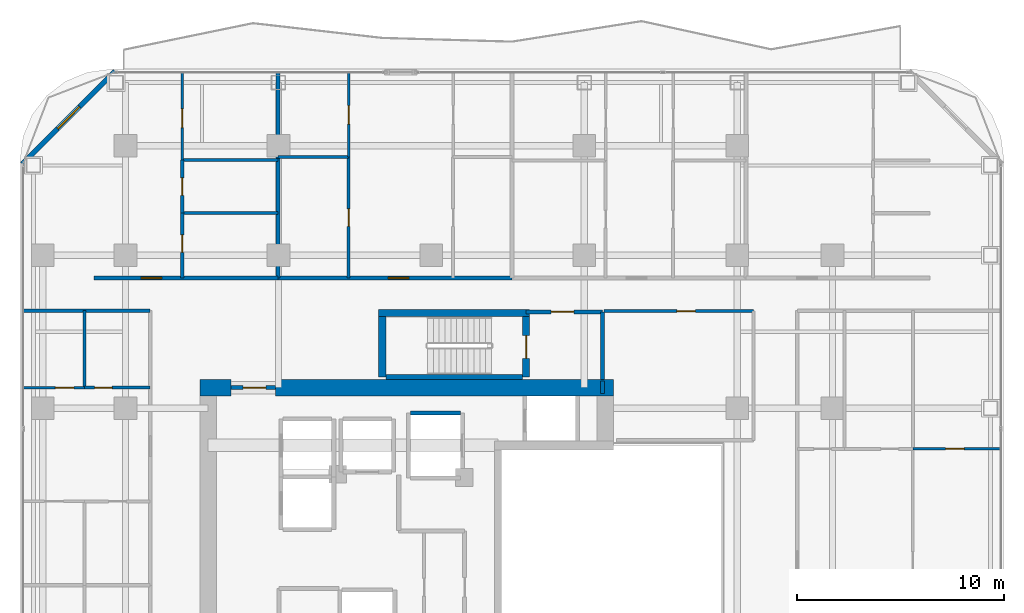
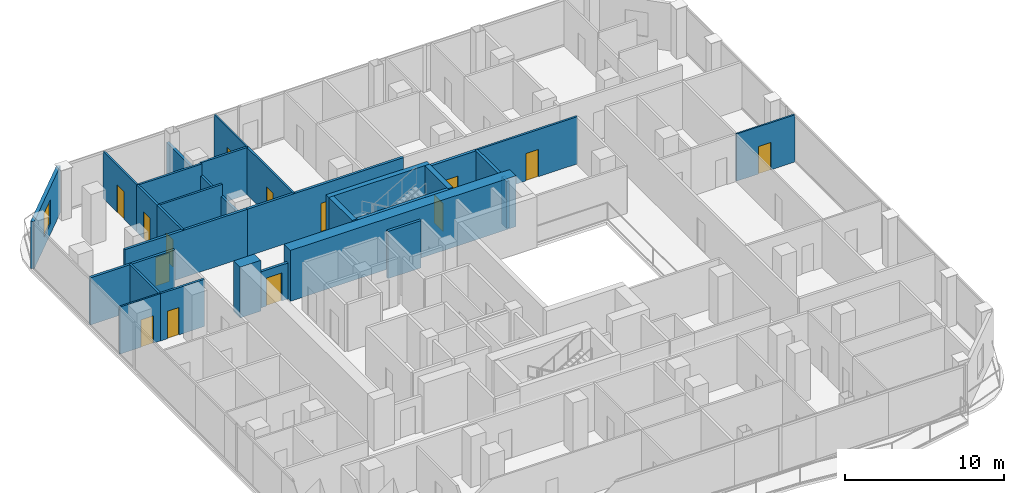
# One storey, part 23 of 27: 29 walls, 14 doors, 1 window, 15 openings.
"""IFC4 building model written with IfcOpenShell, lengths in metres."""

import ifcopenshell
import ifcopenshell.guid

model = None  # the IFC model being written
_history = None  # IfcOwnerHistory: only IFC2X3 demands one
_inside = {}  # id of a spatial element -> (the spatial element, [elements in it])
_under = {}  # id of a project, library or spatial element -> (it, [spatial elements below it])
_declared = {}  # id of a project -> (the project, [libraries it declares])
_typed = {}  # id of a type object -> (the type object, [elements of that type])
_made_of = {}  # id of a material, layer set ... -> (it, [elements and type objects made of it])


def new_model(schema):
    """Start an empty IFC model of exactly this schema.

    Asked for "IFC4X3", IfcOpenShell would pick the latest addendum, in which some entities
    have other attributes; the version numbers below select the first issue.
    IFC2X3 requires an IfcOwnerHistory on every rooted entity: one is made here for all.
    """
    global model, _history
    if schema == "IFC4X3":
        model = ifcopenshell.file(schema_version=(4, 3, 0, 0))
    else:
        model = ifcopenshell.file(schema=schema)
    _inside.clear()
    _under.clear()
    _declared.clear()
    _typed.clear()
    _made_of.clear()
    _history = None
    if model.schema == "IFC2X3":
        org = make("IfcOrganization", Name="unknown")
        user = make(
            "IfcPersonAndOrganization",
            ThePerson=make("IfcPerson", FamilyName="unknown"),
            TheOrganization=org,
        )
        app = make(
            "IfcApplication",
            ApplicationDeveloper=org,
            Version="unknown",
            ApplicationFullName="unknown",
            ApplicationIdentifier="unknown",
        )
        _history = make(
            "IfcOwnerHistory",
            OwningUser=user,
            OwningApplication=app,
            ChangeAction="ADDED",
            CreationDate=0,
        )
    return model


def make(cls, **values):
    """One entity of the class cls with the attributes given. An attribute that is None is left unset."""
    return model.create_entity(
        cls, **{name: value for name, value in values.items() if value is not None}
    )


def rooted(cls, **values):
    """An entity with a GlobalId (a new one), such as an element, a storey or a relation."""
    return make(cls, GlobalId=ifcopenshell.guid.new(), OwnerHistory=_history, **values)


def si_unit(unit_type, name, prefix=None):
    """IfcSIUnit, for example si_unit("LENGTHUNIT", "METRE", prefix="MILLI")."""
    return make("IfcSIUnit", UnitType=unit_type, Prefix=prefix, Name=name)


def assignment(units):
    """IfcUnitAssignment: the units of a project."""
    return None if units is None else make("IfcUnitAssignment", Units=units)


def point(xyz):
    """IfcCartesianPoint."""
    return None if xyz is None else make("IfcCartesianPoint", Coordinates=xyz)


def direction(xyz):
    """IfcDirection."""
    return None if xyz is None else make("IfcDirection", DirectionRatios=xyz)


def frame(location, z_axis=None, x_axis=None):
    """IfcAxis2Placement3D, a coordinate frame: its origin and axes. An axis left out is left unset."""
    return make(
        "IfcAxis2Placement3D",
        Location=point(location),
        Axis=direction(z_axis),
        RefDirection=direction(x_axis),
    )


def frame_2d(location, x_axis=None):
    """IfcAxis2Placement2D, a coordinate frame in the plane: its origin and x axis."""
    return make(
        "IfcAxis2Placement2D", Location=point(location), RefDirection=direction(x_axis)
    )


def origin():
    """The frame at (0, 0, 0) with its axes left unset."""
    return frame((0.0, 0.0, 0.0))


def place(relative_to, where):
    """IfcLocalPlacement: puts the frame where relative to a parent placement (None: the world)."""
    return make(
        "IfcLocalPlacement", PlacementRelTo=relative_to, RelativePlacement=where
    )


def context(
    kind, dimensions, precision=None, world=None, true_north=None, identifier=None
):
    """IfcGeometricRepresentationContext, for example the 3D "Model" context."""
    return make(
        "IfcGeometricRepresentationContext",
        ContextIdentifier=identifier,
        ContextType=kind,
        CoordinateSpaceDimension=dimensions,
        Precision=precision,
        WorldCoordinateSystem=world,
        TrueNorth=true_north,
    )


def subcontext(parent, identifier, kind, view, scale=None):
    """IfcGeometricRepresentationSubContext, for example "Body" below "Model"."""
    return make(
        "IfcGeometricRepresentationSubContext",
        ContextIdentifier=identifier,
        ContextType=kind,
        ParentContext=parent,
        TargetScale=scale,
        TargetView=view,
    )


def project(units=None, contexts=None):
    """IfcProject with its units and contexts."""
    return rooted(
        "IfcProject",
        Name="project",
        RepresentationContexts=contexts,
        UnitsInContext=assignment(units),
    )


def spatial(cls, under=None, at=None, **own):
    """A site, building, storey or space (cls), placed at a placement, below another one or the project."""
    s = rooted(cls, ObjectPlacement=at, **own)
    if under is not None:
        _under.setdefault(under.id(), (under, []))[1].append(s)
    return s


def profile(cls, at=None, kind="AREA", **sizes):
    """A parametric profile (cls). Its sizes go by their IFC names, for example OverallWidth=200.0."""
    return make(cls, ProfileType=kind, Position=at, **sizes)


def rectangle(**sizes):
    """IfcRectangleProfileDef."""
    return profile("IfcRectangleProfileDef", **sizes)


def extrude(swept, where, along, depth):
    """IfcExtrudedAreaSolid: the profile swept, set in the frame where, extruded along a direction by depth."""
    return make(
        "IfcExtrudedAreaSolid",
        SweptArea=swept,
        Position=where,
        ExtrudedDirection=direction(along),
        Depth=depth,
    )


def shape(context_of_items, identifier, shape_type, items):
    """IfcShapeRepresentation: the items that make up one representation, for example the "Body"."""
    return make(
        "IfcShapeRepresentation",
        ContextOfItems=context_of_items,
        RepresentationIdentifier=identifier,
        RepresentationType=shape_type,
        Items=items,
    )


def material(Name=None, Category=None):
    """IfcMaterial."""
    return make("IfcMaterial", Name=Name, Category=Category)


def layer(
    of_material, thickness, ventilated=None, Name=None, Category=None, Priority=None
):
    """IfcMaterialLayer: one layer of a wall or slab, of a material (None: an air gap)."""
    return make(
        "IfcMaterialLayer",
        Material=of_material,
        LayerThickness=thickness,
        IsVentilated=ventilated,
        Name=Name,
        Category=Category,
        Priority=Priority,
    )


def layer_set(layers, Name=None):
    """IfcMaterialLayerSet."""
    return make("IfcMaterialLayerSet", MaterialLayers=layers, LayerSetName=Name)


def made_of(thing, what):
    """Note that an element or type object is made of a material, layer set ...; save() writes the relation."""
    if what is not None:
        _made_of.setdefault(what.id(), (what, []))[1].append(thing)
    return thing


def type_object(cls, material=None, **own):
    """A type object (cls), such as IfcWallType, which elements share."""
    return made_of(rooted(cls, **own), material)


def element(
    cls,
    number,
    at=None,
    inside=None,
    cuts=None,
    type_object=None,
    material=None,
    context=None,
    identifier="Body",
    shape_type=None,
    held_by="IfcProductDefinitionShape",
    body=None,
    shapes=None,
    **own,
):
    """One element of the class cls, such as IfcWall. Its Tag is "e" and its number.

    at: its placement. inside: the storey or other place that contains it. cuts: it is an
    opening in that element (IfcRelVoidsElement). A single representation is given by context,
    identifier, shape_type and body (its items); several are given by shapes. held_by: the class
    of the entity that holds the representations. save() writes the other relations.
    """
    e = rooted(cls, Tag="e%d" % number, ObjectPlacement=at, **own)
    if body is not None:
        shapes = [shape(context, identifier, shape_type, body)]
    if shapes is not None:
        e.Representation = make(held_by, Representations=shapes)
    if inside is not None:
        _inside.setdefault(inside.id(), (inside, []))[1].append(e)
    if cuts is not None:
        rooted(
            "IfcRelVoidsElement", RelatingBuildingElement=cuts, RelatedOpeningElement=e
        )
    if type_object is not None:
        _typed.setdefault(type_object.id(), (type_object, []))[1].append(e)
    return made_of(e, material)


def fill(opening, filler):
    """IfcRelFillsElement: the door or window that sits in an opening."""
    return rooted(
        "IfcRelFillsElement",
        RelatingOpeningElement=opening,
        RelatedBuildingElement=filler,
    )


def aggregate(whole, parts):
    """IfcRelAggregates: a whole, such as a stair, and the parts it consists of."""
    return rooted("IfcRelAggregates", RelatingObject=whole, RelatedObjects=parts)


def save(model, path):
    """Write the relations noted so far, then the file.

    IfcRelAggregates (storeys below a building ...), IfcRelContainedInSpatialStructure (elements
    in a storey), IfcRelDefinesByType, IfcRelAssociatesMaterial and IfcRelDeclares: one each for
    every whole, place, type object, material and project.
    """
    for whole, parts in _under.values():
        aggregate(whole, parts)
    for where, things in _inside.values():
        rooted(
            "IfcRelContainedInSpatialStructure",
            RelatedElements=things,
            RelatingStructure=where,
        )
    for kind, things in _typed.values():
        rooted("IfcRelDefinesByType", RelatedObjects=things, RelatingType=kind)
    for what, things in _made_of.values():
        rooted("IfcRelAssociatesMaterial", RelatedObjects=things, RelatingMaterial=what)
    for by, libraries in _declared.values():
        rooted("IfcRelDeclares", RelatingContext=by, RelatedDefinitions=libraries)
    model.write(path)


model = new_model("IFC4")

# Units and contexts
model_context = context("Model", 3, precision=1e-05, world=origin(), true_north=direction((0.0, 1.0)))
body_context = subcontext(model_context, "Body", "Model", "MODEL_VIEW")
ifc_project = project(units=[si_unit("LENGTHUNIT", "METRE"), si_unit("AREAUNIT", "SQUARE_METRE"), si_unit("VOLUMEUNIT", "CUBIC_METRE"), si_unit("PLANEANGLEUNIT", "RADIAN"), si_unit("MASSUNIT", "GRAM", prefix="KILO")], contexts=[model_context])

# Site, building, storey
site_placement = place(None, origin())
site = spatial("IfcSite", under=ifc_project, at=site_placement, CompositionType="ELEMENT")
building_placement = place(site_placement, origin())
building = spatial("IfcBuilding", under=site, at=building_placement, Name="Khorvyn Point Tower", CompositionType="ELEMENT")
storey_placement = place(building_placement, frame((0.0, 0.0, 164.10009765625)))
storey = spatial("IfcBuildingStorey", under=building, at=storey_placement, Name="L40", CompositionType="ELEMENT", Elevation=164.10009765625)

# Wall, opening, door
ifc_material_1 = material(Name="Double acoustic gypsum on twin steel stud", Category="steel")
ifc_layer_1 = layer(ifc_material_1, 0.179931640625)
ifc_layer_set_1 = layer_set([ifc_layer_1], Name="Acoustic Double-Stud Apartment Demising Wall 180")
wall_type_1 = type_object("IfcWallType", Name="Acoustic Double-Stud Apartment Demising Wall 180", PredefinedType="PARTITIONING", material=ifc_layer_set_1)
wall_1_placement = place(storey_placement, frame((-16.320068359375, 13.699951171875, 0.0), z_axis=(0.0, 0.0, 1.0), x_axis=(1.0, 0.0, 0.0)))
wall_1 = element("IfcWall", 1, at=wall_1_placement, inside=storey, type_object=wall_type_1, Name="Wall", PredefinedType="PARTITIONING", context=body_context, shape_type="SweptSolid", body=[
    extrude(rectangle(XDim=8.89697265625, YDim=0.179931640625, at=frame_2d((4.448486328125, 0.0))), origin(), (0.0, 0.0, 1.0), 3.619873046875),
])
opening_1_placement = place(wall_1_placement, frame((2.2744140625, 0.0, 0.0)))
opening_1 = element("IfcOpeningElement", 2, at=opening_1_placement, cuts=wall_1, Name="Opening ID-AP60", PredefinedType="OPENING", context=body_context, shape_type="SweptSolid", body=[
    extrude(rectangle(XDim=1.0, YDim=2.199951171875, at=frame_2d((0.5, 1.10009765625))), frame((0.0, 0.099853515625, 0.0), z_axis=(0.0, -1.0, 0.0), x_axis=(1.0, 0.0, 0.0)), (0.0, 0.0, 1.0), 0.199951171875),
])
ifc_material_2 = material(Name="Engineered hardwood fire-rated leaf", Category="wood")
door_type_1 = type_object("IfcDoorType", Name="Acoustic Solid-Core Timber Apartment Entrance Door 1000x2200", OperationType="NOTDEFINED", PredefinedType="DOOR", material=ifc_material_2)
door_1_placement = place(opening_1_placement, origin())
door_1 = element("IfcDoor", 3, at=door_1_placement, inside=storey, type_object=door_type_1, Name="Door", OperationType="SINGLE_SWING_LEFT", OverallHeight=2.199951171875, OverallWidth=1.0, PredefinedType="DOOR", context=body_context, shape_type="SweptSolid", body=[
    extrude(rectangle(XDim=1.0, YDim=2.199951171875, at=frame_2d((0.5, 1.10009765625))), frame((0.0, 0.02490234375, 0.0), z_axis=(0.0, -1.0, 0.0), x_axis=(1.0, 0.0, 0.0)), (0.0, 0.0, 1.0), 0.050048828125),
])
fill(opening_1, door_1)

wall_2_placement = place(storey_placement, frame((-7.423095703125, 13.699951171875, 0.0), z_axis=(0.0, 0.0, 1.0), x_axis=(1.0, 0.0, 0.0)))
wall_2 = element("IfcWall", 4, at=wall_2_placement, inside=storey, type_object=wall_type_1, Name="Wall", PredefinedType="PARTITIONING", context=body_context, shape_type="SweptSolid", body=[
    extrude(rectangle(XDim=11.322998046875, YDim=0.179931640625, at=frame_2d((5.66162109375, 0.0))), origin(), (0.0, 0.0, 1.0), 3.619873046875),
])
opening_2_placement = place(wall_2_placement, frame((5.340087890625, 0.0, 0.0)))
opening_2 = element("IfcOpeningElement", 5, at=opening_2_placement, cuts=wall_2, Name="Opening ID-AP60", PredefinedType="OPENING", context=body_context, shape_type="SweptSolid", body=[
    extrude(rectangle(XDim=1.0, YDim=2.199951171875, at=frame_2d((0.5, 1.10009765625))), frame((0.0, 0.099853515625, 0.0), z_axis=(0.0, -1.0, 0.0), x_axis=(1.0, 0.0, 0.0)), (0.0, 0.0, 1.0), 0.199951171875),
])
door_2_placement = place(opening_2_placement, origin())
door_2 = element("IfcDoor", 6, at=door_2_placement, inside=storey, type_object=door_type_1, Name="Door", OperationType="SINGLE_SWING_LEFT", OverallHeight=2.199951171875, OverallWidth=1.0, PredefinedType="DOOR", context=body_context, shape_type="SweptSolid", body=[
    extrude(rectangle(XDim=1.0, YDim=2.199951171875, at=frame_2d((0.5, 1.10009765625))), frame((0.0, 0.02490234375, 0.0), z_axis=(0.0, -1.0, 0.0), x_axis=(1.0, 0.0, 0.0)), (0.0, 0.0, 1.0), 0.050048828125),
])
fill(opening_2, door_2)

# Walls
wall_3_placement = place(storey_placement, frame((-7.423095703125, 13.699951171875, 0.0), z_axis=(0.0, 0.0, 1.0), x_axis=(0.0, 1.0, 0.0)))
element("IfcWall", 7, at=wall_3_placement, inside=storey, type_object=wall_type_1, Name="Wall", PredefinedType="PARTITIONING", context=body_context, shape_type="SweptSolid", body=[
    extrude(rectangle(XDim=9.929931640625, YDim=0.179931640625, at=frame_2d((4.96484375, 0.0))), origin(), (0.0, 0.0, 1.0), 2.7099609375),
])
wall_4_placement = place(storey_placement, frame((-19.72998046875, 12.1201171875, 0.0), z_axis=(0.0, 0.0, 1.0), x_axis=(1.0, 0.0, 0.0)))
element("IfcWall", 8, at=wall_4_placement, inside=storey, type_object=wall_type_1, Name="Wall", PredefinedType="PARTITIONING", context=body_context, shape_type="SweptSolid", body=[
    extrude(rectangle(XDim=6.1298828125, YDim=0.179931640625, at=frame_2d((3.06494140625, 0.0))), origin(), (0.0, 0.0, 1.0), 3.619873046875),
])

# Wall, opening, window
ifc_material_3 = material(Name="Pale anodised aluminium rainscreen on steel stud", Category="steel")
ifc_layer_2 = layer(ifc_material_3, 0.239990234375)
ifc_layer_set_2 = layer_set([ifc_layer_2], Name="Anodised Aluminium Insulated Corner Spandrel Wall 240")
wall_type_2 = type_object("IfcWallType", Name="Anodised Aluminium Insulated Corner Spandrel Wall 240", PredefinedType="SOLIDWALL", material=ifc_layer_set_2)
wall_5_placement = place(storey_placement, frame((-19.79248046875, 19.20751953125, 0.0), z_axis=(0.0, 0.0, 1.0), x_axis=(0.707106781187, 0.707106781187, 0.0)))
wall_5 = element("IfcWall", 9, at=wall_5_placement, inside=storey, type_object=wall_type_2, Name="L40 Rounded Corner Wall NW", PredefinedType="SOLIDWALL", context=body_context, shape_type="SweptSolid", body=[
    extrude(rectangle(XDim=6.342529296875, YDim=0.239990234375, at=frame_2d((3.17138671875, 0.0))), origin(), (0.0, 0.0, 1.0), 3.619873046875),
])
opening_3_placement = place(wall_5_placement, frame((2.42138671875, 0.0, 0.800048828125)))
opening_3 = element("IfcOpeningElement", 10, at=opening_3_placement, cuts=wall_5, Name="Opening WN-1518", PredefinedType="OPENING", context=body_context, shape_type="SweptSolid", body=[
    extrude(rectangle(XDim=1.5, YDim=1.85009765625, at=frame_2d((0.75, 0.925048828125))), frame((0.0, 0.1298828125, 0.0), z_axis=(0.0, -1.0, 0.0), x_axis=(1.0, 0.0, 0.0)), (0.0, 0.0, 1.0), 0.260009765625),
])
ifc_material_4 = material(Name="Anodised aluminium 6063-T6 and laminated Low-E glass", Category="aluminium")
window_type = type_object("IfcWindowType", Name="Anodised Aluminium Rounded-Corner Panoramic Window 1500x1850", PartitioningType="SINGLE_PANEL", PredefinedType="WINDOW", material=ifc_material_4)
window_placement = place(opening_3_placement, origin())
window = element("IfcWindow", 11, at=window_placement, inside=storey, type_object=window_type, Name="L40 Corner Panoramic Window NW", OverallHeight=1.85009765625, OverallWidth=1.5, PartitioningType="SINGLE_PANEL", PredefinedType="WINDOW", context=body_context, shape_type="SweptSolid", body=[
    extrude(rectangle(XDim=1.5, YDim=1.85009765625, at=frame_2d((0.75, 0.925048828125))), frame((0.0, 0.030029296875, 0.0), z_axis=(0.0, -1.0, 0.0), x_axis=(1.0, 0.0, 0.0)), (0.0, 0.0, 1.0), 0.06005859375),
])
fill(opening_3, window)

# Wall, opening, door
ifc_material_5 = material(Name="Concrete C40/50", Category="concrete")
ifc_layer_3 = layer(ifc_material_5, 0.199951171875)
ifc_layer_set_3 = layer_set([ifc_layer_3], Name="Concrete C40/50 Fire-Lobby Compartment Wall 200")
wall_type_3 = type_object("IfcWallType", Name="Concrete C40/50 Fire-Lobby Compartment Wall 200", PredefinedType="SOLIDWALL", material=ifc_layer_set_3)
wall_6_placement = place(storey_placement, frame((4.580078125, 12.06005859375, 0.0), z_axis=(0.0, 0.0, 1.0), x_axis=(1.0, 0.0, 0.0)))
wall_6 = element("IfcWall", 12, at=wall_6_placement, inside=storey, type_object=wall_type_3, Name="Wall", PredefinedType="SOLIDWALL", context=body_context, shape_type="SweptSolid", body=[
    extrude(rectangle(XDim=3.699951171875, YDim=0.199951171875, at=frame_2d((1.85009765625, 0.0))), origin(), (0.0, 0.0, 1.0), 3.619873046875),
])
opening_4_placement = place(wall_6_placement, frame((1.21240234375, 0.0, 0.0)))
opening_4 = element("IfcOpeningElement", 13, at=opening_4_placement, cuts=wall_6, Name="Opening ID-FL90", PredefinedType="OPENING", context=body_context, shape_type="SweptSolid", body=[
    extrude(rectangle(XDim=1.10009765625, YDim=2.14990234375, at=frame_2d((0.550048828125, 1.074951171875))), frame((0.0, 0.10986328125, 0.0), z_axis=(0.0, -1.0, 0.0), x_axis=(1.0, 0.0, 0.0)), (0.0, 0.0, 1.0), 0.219970703125),
])
ifc_material_6 = material(Name="Galvanised powder-coated steel", Category="steel")
door_type_2 = type_object("IfcDoorType", Name="Fire-Rated Steel Lobby and Stair Door 1100x2150", OperationType="NOTDEFINED", PredefinedType="DOOR", material=ifc_material_6)
door_3_placement = place(opening_4_placement, origin())
door_3 = element("IfcDoor", 14, at=door_3_placement, inside=storey, type_object=door_type_2, Name="Door", OperationType="SINGLE_SWING_LEFT", OverallHeight=2.14990234375, OverallWidth=1.10009765625, PredefinedType="DOOR", context=body_context, shape_type="SweptSolid", body=[
    extrude(rectangle(XDim=1.10009765625, YDim=2.14990234375, at=frame_2d((0.550048828125, 1.074951171875))), frame((0.0, 0.02490234375, 0.0), z_axis=(0.0, -1.0, 0.0), x_axis=(1.0, 0.0, 0.0)), (0.0, 0.0, 1.0), 0.050048828125),
])
fill(opening_4, door_3)

wall_7_placement = place(storey_placement, frame((-9.699951171875, 8.39990234375, 0.0), z_axis=(0.0, 0.0, 1.0), x_axis=(1.0, 0.0, 0.0)))
wall_7 = element("IfcWall", 15, at=wall_7_placement, inside=storey, type_object=wall_type_3, Name="Wall", PredefinedType="SOLIDWALL", context=body_context, shape_type="SweptSolid", body=[
    extrude(rectangle(XDim=2.14990234375, YDim=0.199951171875, at=frame_2d((1.074951171875, 0.0))), origin(), (0.0, 0.0, 1.0), 2.760009765625),
])
opening_5_placement = place(wall_7_placement, frame((0.597900390625, 0.0, 0.0)))
opening_5 = element("IfcOpeningElement", 16, at=opening_5_placement, cuts=wall_7, Name="Opening ID-FL90", PredefinedType="OPENING", context=body_context, shape_type="SweptSolid", body=[
    extrude(rectangle(XDim=1.10009765625, YDim=2.14990234375, at=frame_2d((0.550048828125, 1.074951171875))), frame((0.0, 0.10986328125, 0.0), z_axis=(0.0, -1.0, 0.0), x_axis=(1.0, 0.0, 0.0)), (0.0, 0.0, 1.0), 0.219970703125),
])
door_4_placement = place(opening_5_placement, origin())
door_4 = element("IfcDoor", 17, at=door_4_placement, inside=storey, type_object=door_type_2, Name="Door", OperationType="SINGLE_SWING_LEFT", OverallHeight=2.14990234375, OverallWidth=1.10009765625, PredefinedType="DOOR", context=body_context, shape_type="SweptSolid", body=[
    extrude(rectangle(XDim=1.10009765625, YDim=2.14990234375, at=frame_2d((0.550048828125, 1.074951171875))), frame((0.0, 0.02490234375, 0.0), z_axis=(0.0, -1.0, 0.0), x_axis=(1.0, 0.0, 0.0)), (0.0, 0.0, 1.0), 0.050048828125),
])
fill(opening_5, door_4)

# Walls
wall_8_placement = place(storey_placement, frame((8.280029296875, 8.800048828125, 0.0), z_axis=(0.0, 0.0, 1.0), x_axis=(0.0, 1.0, 0.0)))
element("IfcWall", 18, at=wall_8_placement, inside=storey, type_object=wall_type_3, Name="Wall", PredefinedType="SOLIDWALL", context=body_context, shape_type="SweptSolid", body=[
    extrude(rectangle(XDim=3.260009765625, YDim=0.199951171875, at=frame_2d((1.6298828125, 0.0))), origin(), (0.0, 0.0, 1.0), 3.619873046875),
])
wall_9_placement = place(storey_placement, frame((8.280029296875, 8.10009765625, 0.0), z_axis=(0.0, 0.0, 1.0), x_axis=(0.0, 1.0, 0.0)))
element("IfcWall", 19, at=wall_9_placement, inside=storey, type_object=wall_type_3, Name="Wall", PredefinedType="SOLIDWALL", context=body_context, shape_type="SweptSolid", body=[
    extrude(rectangle(XDim=0.625, YDim=0.199951171875, at=frame_2d((0.3125, 0.0))), origin(), (0.0, 0.0, 1.0), 3.619873046875),
])
ifc_layer_4 = layer(ifc_material_5, 0.25)
ifc_layer_set_4 = layer_set([ifc_layer_4], Name="Concrete C40/50 Stair Inner Cheek Structural Wall 250")
wall_type_4 = type_object("IfcWallType", Name="Concrete C40/50 Stair Inner Cheek Structural Wall 250", PredefinedType="SHEAR", material=ifc_layer_set_4)
wall_10_placement = place(storey_placement, frame((-2.199951171875, 8.91259765625, 0.0), z_axis=(0.0, 0.0, 1.0), x_axis=(1.0, 0.0, 0.0)))
element("IfcWall", 20, at=wall_10_placement, inside=storey, type_object=wall_type_4, Name="Wall", PredefinedType="SHEAR", context=body_context, shape_type="SweptSolid", body=[
    extrude(rectangle(XDim=6.599853515625, YDim=0.22509765625, at=frame_2d((3.2998046875, 0.0))), origin(), (0.0, 0.0, 1.0), 3.89990234375),
])
ifc_layer_5 = layer(ifc_material_5, 0.35009765625)
ifc_layer_set_5 = layer_set([ifc_layer_5], Name="Concrete C40/50 Stair Shaft Structural Wall 350")
wall_type_5 = type_object("IfcWallType", Name="Concrete C40/50 Stair Shaft Structural Wall 350", PredefinedType="SHEAR", material=ifc_layer_set_5)
wall_11_placement = place(storey_placement, frame((-2.554931640625, 12.0, 0.0), z_axis=(0.0, 0.0, 1.0), x_axis=(1.0, 0.0, 0.0)))
element("IfcWall", 21, at=wall_11_placement, inside=storey, type_object=wall_type_5, Name="L40 ST-02 North Shaft Wall", PredefinedType="SHEAR", context=body_context, shape_type="SweptSolid", body=[
    extrude(rectangle(XDim=7.309814453125, YDim=0.35009765625, at=frame_2d((3.65478515625, 0.0))), origin(), (0.0, 0.0, 1.0), 3.89990234375),
])
wall_12_placement = place(storey_placement, frame((-2.3798828125, 8.89990234375, 0.0), z_axis=(0.0, 0.0, 1.0), x_axis=(0.0, 1.0, 0.0)))
element("IfcWall", 22, at=wall_12_placement, inside=storey, type_object=wall_type_5, Name="L40 ST-02 West Shaft Wall", PredefinedType="SHEAR", context=body_context, shape_type="SweptSolid", body=[
    extrude(rectangle(XDim=2.925048828125, YDim=0.35009765625, at=frame_2d((1.46240234375, 0.0))), origin(), (0.0, 0.0, 1.0), 3.89990234375),
])

# Wall, opening, door
wall_13_placement = place(storey_placement, frame((4.580078125, 11.824951171875, 0.0), z_axis=(0.0, 0.0, 1.0), x_axis=(0.0, -1.0, 0.0)))
wall_13 = element("IfcWall", 23, at=wall_13_placement, inside=storey, type_object=wall_type_5, Name="L40 ST-02 East Landing Door Wall", PredefinedType="SHEAR", context=body_context, shape_type="SweptSolid", body=[
    extrude(rectangle(XDim=2.925048828125, YDim=0.35009765625, at=frame_2d((1.46240234375, 0.0))), origin(), (0.0, 0.0, 1.0), 3.89990234375),
])
opening_6_placement = place(wall_13_placement, frame((0.91259765625, 0.0, 0.0)))
opening_6 = element("IfcOpeningElement", 24, at=opening_6_placement, cuts=wall_13, Name="Opening ID-FL90", PredefinedType="OPENING", context=body_context, shape_type="SweptSolid", body=[
    extrude(rectangle(XDim=1.10009765625, YDim=2.14990234375, at=frame_2d((0.550048828125, 1.074951171875))), frame((0.0, 0.18505859375, 0.0), z_axis=(0.0, -1.0, 0.0), x_axis=(1.0, 0.0, 0.0)), (0.0, 0.0, 1.0), 0.3701171875),
])
door_5_placement = place(opening_6_placement, origin())
door_5 = element("IfcDoor", 25, at=door_5_placement, inside=storey, type_object=door_type_2, Name="L40 ST-02 Smokeproof Landing Door", OperationType="SINGLE_SWING_LEFT", OverallHeight=2.14990234375, OverallWidth=1.10009765625, PredefinedType="DOOR", context=body_context, shape_type="SweptSolid", body=[
    extrude(rectangle(XDim=1.10009765625, YDim=2.14990234375, at=frame_2d((0.550048828125, 1.074951171875))), frame((0.0, 0.02490234375, 0.0), z_axis=(0.0, -1.0, 0.0), x_axis=(1.0, 0.0, 0.0)), (0.0, 0.0, 1.0), 0.050048828125),
])
fill(opening_6, door_5)

# Walls
ifc_layer_6 = layer(ifc_material_5, 0.199951171875)
ifc_layer_set_6 = layer_set([ifc_layer_6], Name="Concrete C40/50 Structural Hoistway and Stair Shaft Wall 200")
wall_type_6 = type_object("IfcWallType", Name="Concrete C40/50 Structural Hoistway and Stair Shaft Wall 200", PredefinedType="SHEAR", material=ifc_layer_set_6)
wall_14_placement = place(storey_placement, frame((-1.0, 7.175048828125, 0.0), z_axis=(0.0, 0.0, 1.0), x_axis=(1.0, 0.0, 0.0)))
element("IfcWall", 26, at=wall_14_placement, inside=storey, type_object=wall_type_6, Name="Wall", PredefinedType="SHEAR", context=body_context, shape_type="SweptSolid", body=[
    extrude(rectangle(XDim=2.39990234375, YDim=0.199951171875, at=frame_2d((1.199951171875, 0.0))), origin(), (0.0, 0.0, 1.0), 3.619873046875),
])
ifc_material_7 = material(Name="Concrete C45/55", Category="concrete")
ifc_layer_7 = layer(ifc_material_7, 0.800048828125)
ifc_layer_set_7 = layer_set([ifc_layer_7], Name="Concrete C45/55 Core Shear Wall 800")
wall_type_7 = type_object("IfcWallType", Name="Concrete C45/55 Core Shear Wall 800", PredefinedType="SHEAR", material=ifc_layer_set_7)
wall_15_placement = place(storey_placement, frame((-11.199951171875, 8.39990234375, 0.0), z_axis=(0.0, 0.0, 1.0), x_axis=(1.0, 0.0, 0.0)))
element("IfcWall", 27, at=wall_15_placement, inside=storey, type_object=wall_type_7, Name="Wall", PredefinedType="SHEAR", context=body_context, shape_type="SweptSolid", body=[
    extrude(rectangle(XDim=1.5, YDim=0.800048828125, at=frame_2d((0.75, 0.0))), origin(), (0.0, 0.0, 1.0), 3.89990234375),
])
wall_16_placement = place(storey_placement, frame((-7.550048828125, 8.39990234375, 0.0), z_axis=(0.0, 0.0, 1.0), x_axis=(1.0, 0.0, 0.0)))
element("IfcWall", 28, at=wall_16_placement, inside=storey, type_object=wall_type_7, Name="Wall", PredefinedType="SHEAR", context=body_context, shape_type="SweptSolid", body=[
    extrude(rectangle(XDim=16.35009765625, YDim=0.800048828125, at=frame_2d((8.175048828125, 0.0))), origin(), (0.0, 0.0, 1.0), 3.89990234375),
])

# Wall, opening, door
ifc_material_8 = material(Name="Gypsum plasterboard on steel stud", Category="steel")
ifc_layer_8 = layer(ifc_material_8, 0.1201171875)
ifc_layer_set_8 = layer_set([ifc_layer_8], Name="Gypsum Acoustic Stud Room Partition Wall 120")
wall_type_8 = type_object("IfcWallType", Name="Gypsum Acoustic Stud Room Partition Wall 120", PredefinedType="PARTITIONING", material=ifc_layer_set_8)
wall_17_placement = place(storey_placement, frame((-12.049072265625, 19.406005859375, 0.0), z_axis=(0.0, 0.0, 1.0), x_axis=(0.0, 1.0, 0.0)))
wall_17 = element("IfcWall", 29, at=wall_17_placement, inside=storey, type_object=wall_type_8, Name="Wall", PredefinedType="PARTITIONING", context=body_context, shape_type="SweptSolid", body=[
    extrude(rectangle(XDim=4.223876953125, YDim=0.1201171875, at=frame_2d((2.11181640625, 0.0))), origin(), (0.0, 0.0, 1.0), 3.619873046875),
])
opening_7_placement = place(wall_17_placement, frame((1.573486328125, 0.0, 0.0)))
opening_7 = element("IfcOpeningElement", 30, at=opening_7_placement, cuts=wall_17, Name="Opening ID-RM90", PredefinedType="OPENING", context=body_context, shape_type="SweptSolid", body=[
    extrude(rectangle(XDim=0.89990234375, YDim=2.10009765625, at=frame_2d((0.449951171875, 1.050048828125))), frame((0.0, 0.070068359375, 0.0), z_axis=(0.0, -1.0, 0.0), x_axis=(1.0, 0.0, 0.0)), (0.0, 0.0, 1.0), 0.14013671875),
])
ifc_material_9 = material(Name="Engineered oak veneer timber", Category="wood")
door_type_3 = type_object("IfcDoorType", Name="Flush Engineered Timber Room Door 900x2100", OperationType="NOTDEFINED", PredefinedType="DOOR", material=ifc_material_9)
door_6_placement = place(opening_7_placement, origin())
door_6 = element("IfcDoor", 31, at=door_6_placement, inside=storey, type_object=door_type_3, Name="Door", OperationType="SINGLE_SWING_RIGHT", OverallHeight=2.10009765625, OverallWidth=0.89990234375, PredefinedType="DOOR", context=body_context, shape_type="SweptSolid", body=[
    extrude(rectangle(XDim=0.89990234375, YDim=2.10009765625, at=frame_2d((0.449951171875, 1.050048828125))), frame((0.0, 0.02490234375, 0.0), z_axis=(0.0, -1.0, 0.0), x_axis=(1.0, 0.0, 0.0)), (0.0, 0.0, 1.0), 0.050048828125),
])
fill(opening_7, door_6)

wall_18_placement = place(storey_placement, frame((-4.0009765625, 19.544921875, 0.0), z_axis=(0.0, 0.0, 1.0), x_axis=(0.0, 1.0, 0.0)))
wall_18 = element("IfcWall", 32, at=wall_18_placement, inside=storey, type_object=wall_type_8, Name="Wall", PredefinedType="PARTITIONING", context=body_context, shape_type="SweptSolid", body=[
    extrude(rectangle(XDim=4.0849609375, YDim=0.1201171875, at=frame_2d((2.04248046875, 0.0))), origin(), (0.0, 0.0, 1.0), 3.619873046875),
])
opening_8_placement = place(wall_18_placement, frame((1.592529296875, 0.0, 0.0)))
opening_8 = element("IfcOpeningElement", 33, at=opening_8_placement, cuts=wall_18, Name="Opening ID-RM90", PredefinedType="OPENING", context=body_context, shape_type="SweptSolid", body=[
    extrude(rectangle(XDim=0.89990234375, YDim=2.10009765625, at=frame_2d((0.449951171875, 1.050048828125))), frame((0.0, 0.070068359375, 0.0), z_axis=(0.0, -1.0, 0.0), x_axis=(1.0, 0.0, 0.0)), (0.0, 0.0, 1.0), 0.14013671875),
])
door_7_placement = place(opening_8_placement, origin())
door_7 = element("IfcDoor", 34, at=door_7_placement, inside=storey, type_object=door_type_3, Name="Door", OperationType="SINGLE_SWING_LEFT", OverallHeight=2.10009765625, OverallWidth=0.89990234375, PredefinedType="DOOR", context=body_context, shape_type="SweptSolid", body=[
    extrude(rectangle(XDim=0.89990234375, YDim=2.10009765625, at=frame_2d((0.449951171875, 1.050048828125))), frame((0.0, 0.02490234375, 0.0), z_axis=(0.0, -1.0, 0.0), x_axis=(1.0, 0.0, 0.0)), (0.0, 0.0, 1.0), 0.050048828125),
])
fill(opening_8, door_7)

wall_19_placement = place(storey_placement, frame((-19.72998046875, 8.39404296875, 0.0), z_axis=(0.0, 0.0, 1.0), x_axis=(1.0, 0.0, 0.0)))
wall_19 = element("IfcWall", 35, at=wall_19_placement, inside=storey, type_object=wall_type_8, Name="Wall", PredefinedType="PARTITIONING", context=body_context, shape_type="SweptSolid", body=[
    extrude(rectangle(XDim=2.946044921875, YDim=0.1201171875, at=frame_2d((1.47314453125, 0.0))), origin(), (0.0, 0.0, 1.0), 3.619873046875),
])
opening_9_placement = place(wall_19_placement, frame((1.540771484375, 0.0, 0.0)))
opening_9 = element("IfcOpeningElement", 36, at=opening_9_placement, cuts=wall_19, Name="Opening ID-RM90", PredefinedType="OPENING", context=body_context, shape_type="SweptSolid", body=[
    extrude(rectangle(XDim=0.89990234375, YDim=2.10009765625, at=frame_2d((0.449951171875, 1.050048828125))), frame((0.0, 0.070068359375, 0.0), z_axis=(0.0, -1.0, 0.0), x_axis=(1.0, 0.0, 0.0)), (0.0, 0.0, 1.0), 0.14013671875),
])
door_8_placement = place(opening_9_placement, origin())
door_8 = element("IfcDoor", 37, at=door_8_placement, inside=storey, type_object=door_type_3, Name="Door", OperationType="SINGLE_SWING_LEFT", OverallHeight=2.10009765625, OverallWidth=0.89990234375, PredefinedType="DOOR", context=body_context, shape_type="SweptSolid", body=[
    extrude(rectangle(XDim=0.89990234375, YDim=2.10009765625, at=frame_2d((0.449951171875, 1.050048828125))), frame((0.0, 0.02490234375, 0.0), z_axis=(0.0, -1.0, 0.0), x_axis=(1.0, 0.0, 0.0)), (0.0, 0.0, 1.0), 0.050048828125),
])
fill(opening_9, door_8)

wall_20_placement = place(storey_placement, frame((23.2900390625, 5.43603515625, 0.0), z_axis=(0.0, 0.0, 1.0), x_axis=(1.0, 0.0, 0.0)))
wall_20 = element("IfcWall", 38, at=wall_20_placement, inside=storey, type_object=wall_type_8, Name="Wall", PredefinedType="PARTITIONING", context=body_context, shape_type="SweptSolid", body=[
    extrude(rectangle(XDim=4.239990234375, YDim=0.1201171875, at=frame_2d((2.1201171875, 0.0))), origin(), (0.0, 0.0, 1.0), 3.619873046875),
])
opening_10_placement = place(wall_20_placement, frame((1.581298828125, 0.0, 0.0)))
opening_10 = element("IfcOpeningElement", 39, at=opening_10_placement, cuts=wall_20, Name="Opening ID-RM90", PredefinedType="OPENING", context=body_context, shape_type="SweptSolid", body=[
    extrude(rectangle(XDim=0.89990234375, YDim=2.10009765625, at=frame_2d((0.449951171875, 1.050048828125))), frame((0.0, 0.070068359375, 0.0), z_axis=(0.0, -1.0, 0.0), x_axis=(1.0, 0.0, 0.0)), (0.0, 0.0, 1.0), 0.14013671875),
])
door_9_placement = place(opening_10_placement, origin())
door_9 = element("IfcDoor", 40, at=door_9_placement, inside=storey, type_object=door_type_3, Name="Door", OperationType="SINGLE_SWING_RIGHT", OverallHeight=2.10009765625, OverallWidth=0.89990234375, PredefinedType="DOOR", context=body_context, shape_type="SweptSolid", body=[
    extrude(rectangle(XDim=0.89990234375, YDim=2.10009765625, at=frame_2d((0.449951171875, 1.050048828125))), frame((0.0, 0.02490234375, 0.0), z_axis=(0.0, -1.0, 0.0), x_axis=(1.0, 0.0, 0.0)), (0.0, 0.0, 1.0), 0.050048828125),
])
fill(opening_10, door_9)

ifc_material_10 = material(Name="Moisture-resistant gypsum and cement board", Category="gypsum")
ifc_layer_9 = layer(ifc_material_10, 0.14990234375)
ifc_layer_set_9 = layer_set([ifc_layer_9], Name="Moisture-Resistant Wet-Room Partition Wall 150")
wall_type_9 = type_object("IfcWallType", Name="Moisture-Resistant Wet-Room Partition Wall 150", PredefinedType="PARTITIONING", material=ifc_layer_set_9)
wall_21_placement = place(storey_placement, frame((8.360107421875, 12.10009765625, 0.0), z_axis=(0.0, 0.0, 1.0), x_axis=(1.0, 0.0, 0.0)))
wall_21 = element("IfcWall", 41, at=wall_21_placement, inside=storey, type_object=wall_type_9, Name="Wall", PredefinedType="PARTITIONING", context=body_context, shape_type="SweptSolid", body=[
    extrude(rectangle(XDim=7.219970703125, YDim=0.14990234375, at=frame_2d((3.60986328125, 0.0))), origin(), (0.0, 0.0, 1.0), 3.619873046875),
])
opening_11_placement = place(wall_21_placement, frame((3.512939453125, 0.0, 0.0)))
opening_11 = element("IfcOpeningElement", 42, at=opening_11_placement, cuts=wall_21, Name="Opening ID-RM90", PredefinedType="OPENING", context=body_context, shape_type="SweptSolid", body=[
    extrude(rectangle(XDim=0.89990234375, YDim=2.10009765625, at=frame_2d((0.449951171875, 1.050048828125))), frame((0.0, 0.0849609375, 0.0), z_axis=(0.0, -1.0, 0.0), x_axis=(1.0, 0.0, 0.0)), (0.0, 0.0, 1.0), 0.169921875),
])
door_10_placement = place(opening_11_placement, origin())
door_10 = element("IfcDoor", 43, at=door_10_placement, inside=storey, type_object=door_type_3, Name="Door", OperationType="SINGLE_SWING_RIGHT", OverallHeight=2.10009765625, OverallWidth=0.89990234375, PredefinedType="DOOR", context=body_context, shape_type="SweptSolid", body=[
    extrude(rectangle(XDim=0.89990234375, YDim=2.10009765625, at=frame_2d((0.449951171875, 1.050048828125))), frame((0.0, 0.02490234375, 0.0), z_axis=(0.0, -1.0, 0.0), x_axis=(1.0, 0.0, 0.0)), (0.0, 0.0, 1.0), 0.050048828125),
])
fill(opening_11, door_10)

wall_22_placement = place(storey_placement, frame((-12.049072265625, 13.699951171875, 0.0), z_axis=(0.0, 0.0, 1.0), x_axis=(0.0, 1.0, 0.0)))
wall_22 = element("IfcWall", 44, at=wall_22_placement, inside=storey, type_object=wall_type_9, Name="Wall", PredefinedType="PARTITIONING", context=body_context, shape_type="SweptSolid", body=[
    extrude(rectangle(XDim=3.137939453125, YDim=0.14990234375, at=frame_2d((1.56884765625, 0.0))), origin(), (0.0, 0.0, 1.0), 3.619873046875),
])
opening_12_placement = place(wall_22_placement, frame((1.2333984375, 0.0, 0.0)))
opening_12 = element("IfcOpeningElement", 45, at=opening_12_placement, cuts=wall_22, Name="Opening ID-WC85", PredefinedType="OPENING", context=body_context, shape_type="SweptSolid", body=[
    extrude(rectangle(XDim=0.85009765625, YDim=2.10009765625, at=frame_2d((0.425048828125, 1.050048828125))), frame((0.0, 0.0849609375, 0.0), z_axis=(0.0, -1.0, 0.0), x_axis=(1.0, 0.0, 0.0)), (0.0, 0.0, 1.0), 0.169921875),
])
ifc_material_11 = material(Name="High-pressure laminate on moisture-resistant core", Category="wood")
door_type_4 = type_object("IfcDoorType", Name="Moisture-Resistant Accessible Washroom Door 850x2100", OperationType="NOTDEFINED", PredefinedType="DOOR", material=ifc_material_11)
door_11_placement = place(opening_12_placement, origin())
door_11 = element("IfcDoor", 46, at=door_11_placement, inside=storey, type_object=door_type_4, Name="Door", OperationType="SINGLE_SWING_RIGHT", OverallHeight=2.10009765625, OverallWidth=0.85009765625, PredefinedType="DOOR", context=body_context, shape_type="SweptSolid", body=[
    extrude(rectangle(XDim=0.85009765625, YDim=2.10009765625, at=frame_2d((0.425048828125, 1.050048828125))), frame((0.0, 0.02490234375, 0.0), z_axis=(0.0, -1.0, 0.0), x_axis=(1.0, 0.0, 0.0)), (0.0, 0.0, 1.0), 0.050048828125),
])
fill(opening_12, door_11)

wall_23_placement = place(storey_placement, frame((-12.049072265625, 16.837890625, 0.0), z_axis=(0.0, 0.0, 1.0), x_axis=(0.0, 1.0, 0.0)))
wall_23 = element("IfcWall", 47, at=wall_23_placement, inside=storey, type_object=wall_type_9, Name="Wall", PredefinedType="PARTITIONING", context=body_context, shape_type="SweptSolid", body=[
    extrude(rectangle(XDim=2.568115234375, YDim=0.14990234375, at=frame_2d((1.2841796875, 0.0))), origin(), (0.0, 0.0, 1.0), 3.619873046875),
])
opening_13_placement = place(wall_23_placement, frame((0.85888671875, 0.0, 0.0)))
opening_13 = element("IfcOpeningElement", 48, at=opening_13_placement, cuts=wall_23, Name="Opening ID-WC85", PredefinedType="OPENING", context=body_context, shape_type="SweptSolid", body=[
    extrude(rectangle(XDim=0.85009765625, YDim=2.10009765625, at=frame_2d((0.425048828125, 1.050048828125))), frame((0.0, 0.0849609375, 0.0), z_axis=(0.0, -1.0, 0.0), x_axis=(1.0, 0.0, 0.0)), (0.0, 0.0, 1.0), 0.169921875),
])
door_12_placement = place(opening_13_placement, origin())
door_12 = element("IfcDoor", 49, at=door_12_placement, inside=storey, type_object=door_type_4, Name="Door", OperationType="SINGLE_SWING_LEFT", OverallHeight=2.10009765625, OverallWidth=0.85009765625, PredefinedType="DOOR", context=body_context, shape_type="SweptSolid", body=[
    extrude(rectangle(XDim=0.85009765625, YDim=2.10009765625, at=frame_2d((0.425048828125, 1.050048828125))), frame((0.0, 0.02490234375, 0.0), z_axis=(0.0, -1.0, 0.0), x_axis=(1.0, 0.0, 0.0)), (0.0, 0.0, 1.0), 0.050048828125),
])
fill(opening_13, door_12)

wall_24_placement = place(storey_placement, frame((-4.0009765625, 13.699951171875, 0.0), z_axis=(0.0, 0.0, 1.0), x_axis=(0.0, 1.0, 0.0)))
wall_24 = element("IfcWall", 50, at=wall_24_placement, inside=storey, type_object=wall_type_9, Name="Wall", PredefinedType="PARTITIONING", context=body_context, shape_type="SweptSolid", body=[
    extrude(rectangle(XDim=5.844970703125, YDim=0.14990234375, at=frame_2d((2.92236328125, 0.0))), origin(), (0.0, 0.0, 1.0), 3.619873046875),
])
opening_14_placement = place(wall_24_placement, frame((2.49755859375, 0.0, 0.0)))
opening_14 = element("IfcOpeningElement", 51, at=opening_14_placement, cuts=wall_24, Name="Opening ID-WC85", PredefinedType="OPENING", context=body_context, shape_type="SweptSolid", body=[
    extrude(rectangle(XDim=0.85009765625, YDim=2.10009765625, at=frame_2d((0.425048828125, 1.050048828125))), frame((0.0, 0.0849609375, 0.0), z_axis=(0.0, -1.0, 0.0), x_axis=(1.0, 0.0, 0.0)), (0.0, 0.0, 1.0), 0.169921875),
])
door_13_placement = place(opening_14_placement, origin())
door_13 = element("IfcDoor", 52, at=door_13_placement, inside=storey, type_object=door_type_4, Name="Door", OperationType="SINGLE_SWING_RIGHT", OverallHeight=2.10009765625, OverallWidth=0.85009765625, PredefinedType="DOOR", context=body_context, shape_type="SweptSolid", body=[
    extrude(rectangle(XDim=0.85009765625, YDim=2.10009765625, at=frame_2d((0.425048828125, 1.050048828125))), frame((0.0, 0.02490234375, 0.0), z_axis=(0.0, -1.0, 0.0), x_axis=(1.0, 0.0, 0.0)), (0.0, 0.0, 1.0), 0.050048828125),
])
fill(opening_14, door_13)

wall_25_placement = place(storey_placement, frame((-16.783935546875, 8.39404296875, 0.0), z_axis=(0.0, 0.0, 1.0), x_axis=(1.0, 0.0, 0.0)))
wall_25 = element("IfcWall", 53, at=wall_25_placement, inside=storey, type_object=wall_type_9, Name="Wall", PredefinedType="PARTITIONING", context=body_context, shape_type="SweptSolid", body=[
    extrude(rectangle(XDim=3.183837890625, YDim=0.14990234375, at=frame_2d((1.591796875, 0.0))), origin(), (0.0, 0.0, 1.0), 3.619873046875),
])
opening_15_placement = place(wall_25_placement, frame((0.49560546875, 0.0, 0.0)))
opening_15 = element("IfcOpeningElement", 54, at=opening_15_placement, cuts=wall_25, Name="Opening ID-WC85", PredefinedType="OPENING", context=body_context, shape_type="SweptSolid", body=[
    extrude(rectangle(XDim=0.85009765625, YDim=2.10009765625, at=frame_2d((0.425048828125, 1.050048828125))), frame((0.0, 0.0849609375, 0.0), z_axis=(0.0, -1.0, 0.0), x_axis=(1.0, 0.0, 0.0)), (0.0, 0.0, 1.0), 0.169921875),
])
door_14_placement = place(opening_15_placement, origin())
door_14 = element("IfcDoor", 55, at=door_14_placement, inside=storey, type_object=door_type_4, Name="Door", OperationType="SINGLE_SWING_RIGHT", OverallHeight=2.10009765625, OverallWidth=0.85009765625, PredefinedType="DOOR", context=body_context, shape_type="SweptSolid", body=[
    extrude(rectangle(XDim=0.85009765625, YDim=2.10009765625, at=frame_2d((0.425048828125, 1.050048828125))), frame((0.0, 0.02490234375, 0.0), z_axis=(0.0, -1.0, 0.0), x_axis=(1.0, 0.0, 0.0)), (0.0, 0.0, 1.0), 0.050048828125),
])
fill(opening_15, door_14)

# Walls
for number, where, z_axis, x_axis, name in (
    (56, (-12.049072265625, 16.837890625, 0.0), (0.0, 0.0, 1.0), (1.0, 0.0, 0.0), "Wall"),
    (57, (-12.049072265625, 19.406005859375, 0.0), (0.0, 0.0, 1.0), (1.0, 0.0, 0.0), "Wall"),
):
    element("IfcWall", number, at=place(storey_placement, frame(where, z_axis=z_axis, x_axis=x_axis)), inside=storey, type_object=wall_type_9, Name=name, PredefinedType="PARTITIONING", context=body_context, shape_type="SweptSolid", body=[
        extrude(rectangle(XDim=4.6259765625, YDim=0.14990234375, at=frame_2d((2.31298828125, 0.0))), origin(), (0.0, 0.0, 1.0), 3.619873046875),
    ])
wall_26_placement = place(storey_placement, frame((-7.423095703125, 19.544921875, 0.0), z_axis=(0.0, 0.0, 1.0), x_axis=(1.0, 0.0, 0.0)))
element("IfcWall", 58, at=wall_26_placement, inside=storey, type_object=wall_type_9, Name="Wall", PredefinedType="PARTITIONING", context=body_context, shape_type="SweptSolid", body=[
    extrude(rectangle(XDim=3.422119140625, YDim=0.14990234375, at=frame_2d((1.7109375, 0.0))), origin(), (0.0, 0.0, 1.0), 3.619873046875),
])
wall_27_placement = place(storey_placement, frame((-16.783935546875, 8.39404296875, 0.0), z_axis=(0.0, 0.0, 1.0), x_axis=(0.0, 1.0, 0.0)))
element("IfcWall", 59, at=wall_27_placement, inside=storey, type_object=wall_type_9, Name="Wall", PredefinedType="PARTITIONING", context=body_context, shape_type="SweptSolid", body=[
    extrude(rectangle(XDim=3.72607421875, YDim=0.14990234375, at=frame_2d((1.863037109375, 0.0))), origin(), (0.0, 0.0, 1.0), 3.619873046875),
])

save(model, "model.ifc")
